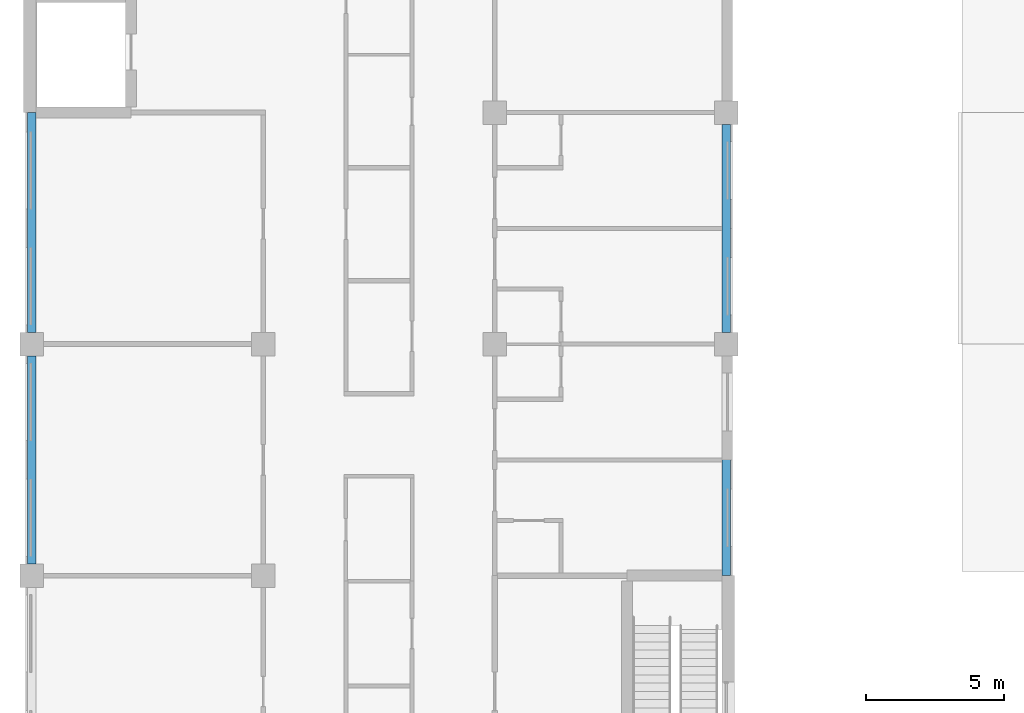
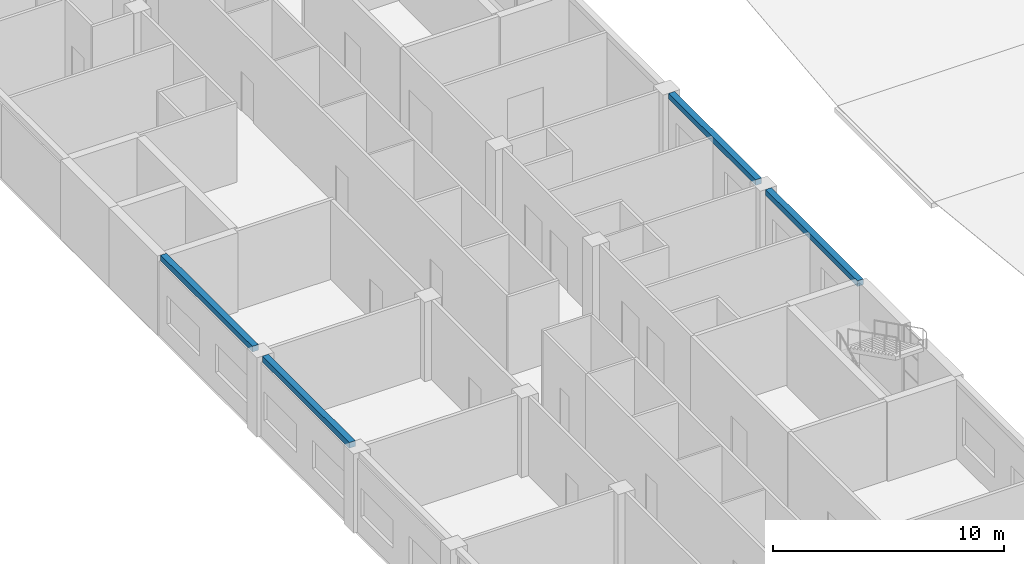
# One storey, part 7 of 66: 4 beams.
"""IFC4 building model written with IfcOpenShell, lengths in metres."""

from ifc_helpers import new_model, si_unit, direction, frame, origin, origin_2d, place, context, subcontext, project, spatial, rectangle, extrude, material, material_profile, profile_set, type_object, element, save


model = new_model("IFC4")

# Units and contexts
model_context = context("Model", 3, precision=1e-05, world=origin(), true_north=direction((0.0, 1.0)))
body_context = subcontext(model_context, "Body", "Model", "MODEL_VIEW")
ifc_project = project(units=[si_unit("LENGTHUNIT", "METRE"), si_unit("AREAUNIT", "SQUARE_METRE"), si_unit("VOLUMEUNIT", "CUBIC_METRE"), si_unit("PLANEANGLEUNIT", "RADIAN"), si_unit("MASSUNIT", "GRAM", prefix="KILO")], contexts=[model_context])

# Site, building, storey
site_placement = place(None, origin())
site = spatial("IfcSite", under=ifc_project, at=site_placement, CompositionType="ELEMENT")
building_placement = place(site_placement, origin())
building = spatial("IfcBuilding", under=site, at=building_placement, Name="Yavir Park General Hospital", CompositionType="ELEMENT")
storey_placement = place(building_placement, frame((0.0, 0.0, 8.39990234375)))
storey = spatial("IfcBuildingStorey", under=building, at=storey_placement, Name="L02", CompositionType="ELEMENT", Elevation=8.39990234375)

# Beams
ifc_material = material(Name="Concrete C35/45", Category="concrete")
ifc_material_profile = material_profile(ifc_material, rectangle(XDim=0.300048828125, YDim=0.300048828125, at=origin_2d()), Name="RC300x300")
ifc_profile_set = profile_set([ifc_material_profile], Name="Concrete C35/45")
beam_type = type_object("IfcBeamType", Name="RC BEAM 300x300 edge beam", PredefinedType="BEAM", material=ifc_profile_set)
beam_1_placement = place(storey_placement, frame((0.0, 50.824951171875, 4.050048828125), z_axis=(0.0, 1.0, 0.0), x_axis=(-1.0, 0.0, 0.0)))
element("IfcBeam", 1, at=beam_1_placement, inside=storey, type_object=beam_type, Name="B:EDGE:L02:038", PredefinedType="BEAM", context=body_context, shape_type="SweptSolid", body=[
    extrude(rectangle(XDim=0.300048828125, YDim=0.300048828125, at=origin_2d()), origin(), (0.0, 0.0, 1.0), 7.550048828125),
])
beam_2_placement = place(storey_placement, frame((0.0, 59.22509765625, 4.050048828125), z_axis=(0.0, 1.0, 0.0), x_axis=(-1.0, 0.0, 0.0)))
element("IfcBeam", 2, at=beam_2_placement, inside=storey, type_object=beam_type, Name="B:EDGE:L02:039", PredefinedType="BEAM", context=body_context, shape_type="SweptSolid", body=[
    extrude(rectangle(XDim=0.300048828125, YDim=0.300048828125, at=origin_2d()), origin(), (0.0, 0.0, 1.0), 7.974853515625),
])
beam_3_placement = place(storey_placement, frame((25.199951171875, 50.39990234375, 4.050048828125), z_axis=(0.0, 1.0, 0.0), x_axis=(-1.0, 0.0, 0.0)))
element("IfcBeam", 3, at=beam_3_placement, inside=storey, type_object=beam_type, Name="B:EDGE:L02:046", PredefinedType="BEAM", context=body_context, shape_type="SweptSolid", body=[
    extrude(rectangle(XDim=0.300048828125, YDim=0.300048828125, at=origin_2d()), origin(), (0.0, 0.0, 1.0), 7.97509765625),
])
beam_4_placement = place(storey_placement, frame((25.199951171875, 59.22509765625, 4.050048828125), z_axis=(0.0, 1.0, 0.0), x_axis=(-1.0, 0.0, 0.0)))
element("IfcBeam", 4, at=beam_4_placement, inside=storey, type_object=beam_type, Name="B:EDGE:L02:047", PredefinedType="BEAM", context=body_context, shape_type="SweptSolid", body=[
    extrude(rectangle(XDim=0.300048828125, YDim=0.300048828125, at=origin_2d()), origin(), (0.0, 0.0, 1.0), 7.5498046875),
])

save(model, "model.ifc")
